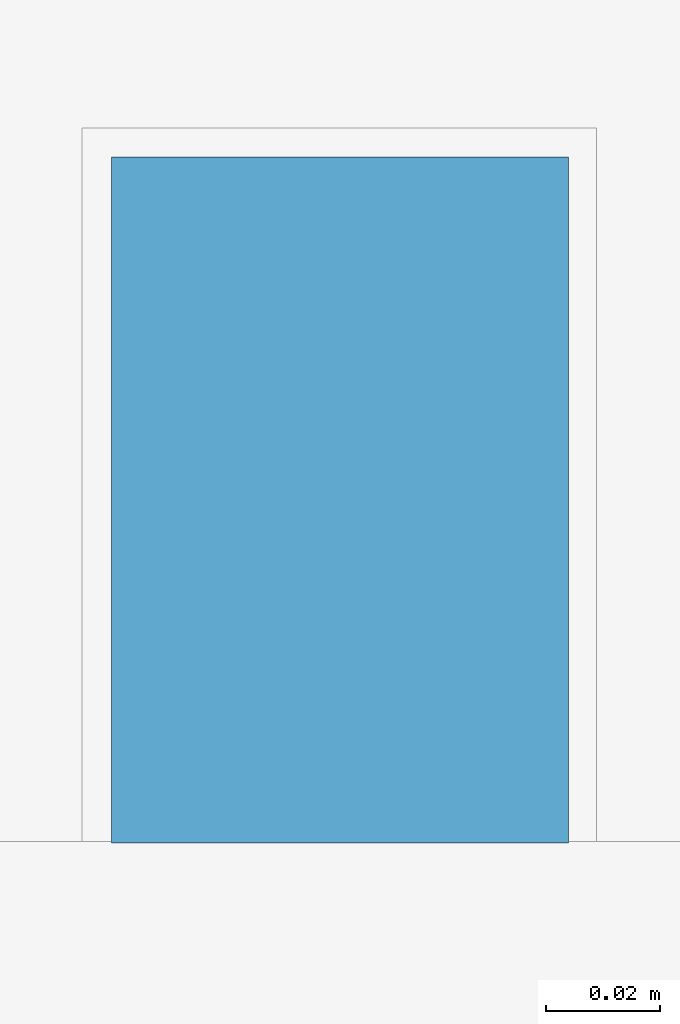
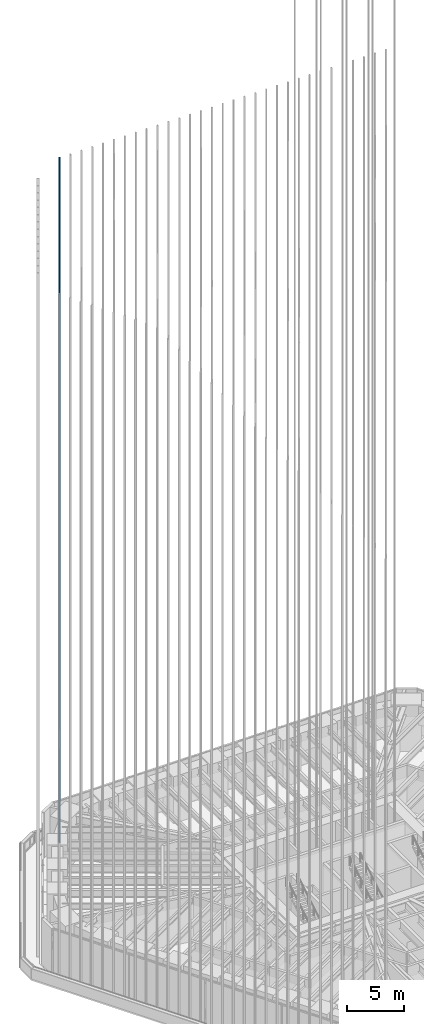
# One storey, part 155 of 228: 1 member, 1 element without a shape of its own.
"""IFC4 building model written with IfcOpenShell, lengths in metres."""

from ifc_helpers import new_model, si_unit, direction, frame, origin, origin_2d, place, context, subcontext, project, spatial, rectangle, extrude, material, material_profile, profile_set, type_object, element, aggregate, save


model = new_model("IFC4")

# Units and contexts
model_context = context("Model", 3, precision=1e-05, world=origin(), true_north=direction((0.0, 1.0)))
body_context = subcontext(model_context, "Body", "Model", "MODEL_VIEW")
ifc_project = project(units=[si_unit("LENGTHUNIT", "METRE"), si_unit("AREAUNIT", "SQUARE_METRE"), si_unit("VOLUMEUNIT", "CUBIC_METRE"), si_unit("PLANEANGLEUNIT", "RADIAN"), si_unit("MASSUNIT", "GRAM", prefix="KILO")], contexts=[model_context])

# Site, building, storey
site_placement = place(None, origin())
site = spatial("IfcSite", under=ifc_project, at=site_placement, CompositionType="ELEMENT")
building_placement = place(site_placement, origin())
building = spatial("IfcBuilding", under=site, at=building_placement, Name="Sandreach Pilgrim Tower", CompositionType="ELEMENT")
storey_placement = place(building_placement, frame((0.0, 0.0, 178.199951171875)))
storey = spatial("IfcBuildingStorey", under=building, at=storey_placement, Name="L44", CompositionType="ELEMENT", Elevation=178.199951171875)

# Curtain wall, member
ifc_material_1 = material(Name="Aluminium framed curtain wall", Category="aluminium")
curtain_wall_type = type_object("IfcCurtainWallType", Name="Upper hotel tower curtain wall", PredefinedType="NOTDEFINED", material=ifc_material_1)
curtain_wall_placement = place(storey_placement, origin())
curtain_wall = element("IfcCurtainWall", 1, at=curtain_wall_placement, inside=storey, type_object=curtain_wall_type, Name="CW-3 L44 N", PredefinedType="NOTDEFINED")
ifc_material_2 = material(Name="Extruded terracotta on aluminium core", Category="masonry")
ifc_material_profile = material_profile(ifc_material_2, rectangle(XDim=0.080078125, YDim=0.1201171875, at=origin_2d()), Name="TBN 80X120")
ifc_profile_set = profile_set([ifc_material_profile], Name="Extruded terracotta on aluminium core")
member_type = type_object("IfcMemberType", Name="Terracotta baguette north", PredefinedType="USERDEFINED", material=ifc_profile_set)
member_placement = place(storey_placement, frame((-16.497802734375, 21.52001953125, 0.0), z_axis=(0.0, 0.0, 1.0), x_axis=(1.0, 0.0, 0.0)))
member = element("IfcMember", 2, at=member_placement, type_object=member_type, Name="Baguette Z3 N01", ObjectType="BAGUETTE", PredefinedType="USERDEFINED", context=body_context, shape_type="SweptSolid", body=[
    extrude(rectangle(XDim=0.080078125, YDim=0.1201171875, at=origin_2d()), origin(), (0.0, 0.0, 1.0), 73.239990234375),
])
aggregate(curtain_wall, [member])

save(model, "model.ifc")
